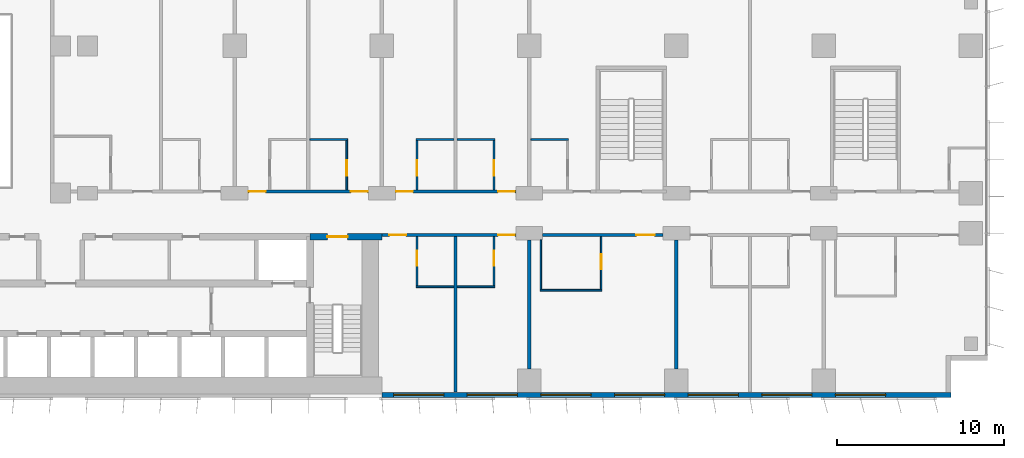
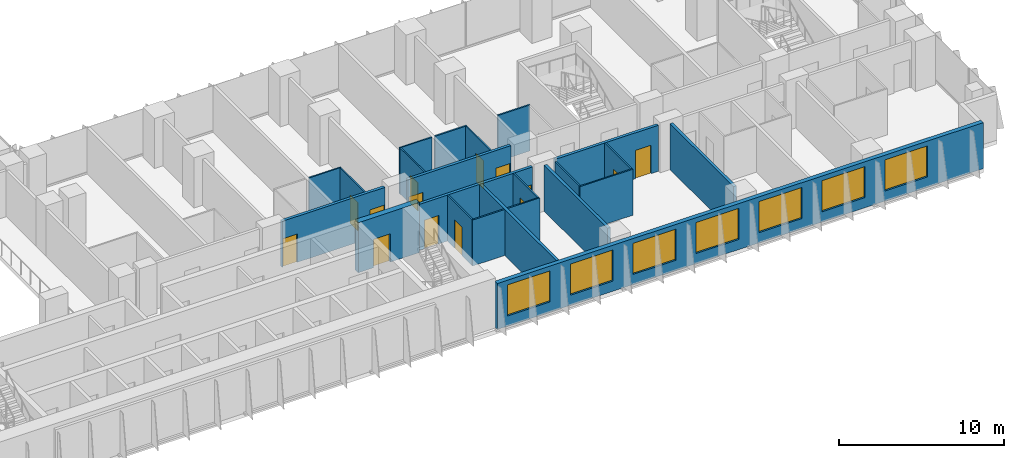
# One storey, part 14 of 24: 23 walls, 14 doors, 7 windows, 21 openings.
"""IFC4 building model written with IfcOpenShell, lengths in metres."""

from ifc_helpers import new_model, si_unit, direction, frame, frame_2d, origin, place, context, subcontext, project, spatial, rectangle, extrude, material, layer, layer_set, type_object, element, fill, save


model = new_model("IFC4")

# Units and contexts
model_context = context("Model", 3, precision=1e-05, world=origin(), true_north=direction((0.0, 1.0)))
body_context = subcontext(model_context, "Body", "Model", "MODEL_VIEW")
ifc_project = project(units=[si_unit("LENGTHUNIT", "METRE"), si_unit("AREAUNIT", "SQUARE_METRE"), si_unit("VOLUMEUNIT", "CUBIC_METRE"), si_unit("PLANEANGLEUNIT", "RADIAN"), si_unit("MASSUNIT", "GRAM", prefix="KILO")], contexts=[model_context])

# Site, building, storey
site_placement = place(None, origin())
site = spatial("IfcSite", under=ifc_project, at=site_placement, CompositionType="ELEMENT")
building_placement = place(site_placement, origin())
building = spatial("IfcBuilding", under=site, at=building_placement, Name="Kemantara Hotel Tower", CompositionType="ELEMENT")
storey_placement = place(building_placement, frame((0.0, 0.0, 37.699951171875)))
storey = spatial("IfcBuildingStorey", under=building, at=storey_placement, Name="L07", CompositionType="ELEMENT", Elevation=37.699951171875)

# Wall, openings, windows
ifc_material_1 = material(Name="Bronze anodised aluminium cladding on insulated steel stud wall", Category="steel")
ifc_layer_1 = layer(ifc_material_1, 0.300048828125)
ifc_layer_set_1 = layer_set([ifc_layer_1], Name="Bronze anodised aluminium cladding on insulated steel stud wall")
wall_type_1 = type_object("IfcWallType", Name="BRONZE METAL-CLAD EXTERNAL WALL 300", PredefinedType="STANDARD", material=ifc_layer_set_1)
wall_1_placement = place(storey_placement, frame((45.0, 0.14990234375, 0.0), z_axis=(0.0, 0.0, 1.0), x_axis=(1.0, 0.0, 0.0)))
wall_1 = element("IfcWall", 1, at=wall_1_placement, inside=storey, type_object=wall_type_1, Name="EXTERNAL WALL L07 T1-R01-3", PredefinedType="STANDARD", context=body_context, shape_type="SweptSolid", body=[
    extrude(rectangle(XDim=34.0, YDim=0.300048828125, at=frame_2d((17.0, 0.0))), origin(), (0.0, 0.0, 1.0), 3.400146484375),
])
opening_1_placement = place(wall_1_placement, frame((0.699951171875, 0.0, 0.75)))
opening_1 = element("IfcOpeningElement", 2, at=opening_1_placement, cuts=wall_1, Name="Opening W1", PredefinedType="OPENING", context=body_context, shape_type="SweptSolid", body=[
    extrude(rectangle(XDim=3.0, YDim=2.300048828125, at=frame_2d((1.5, 1.14990234375))), frame((0.0, 0.159912109375, 0.0), z_axis=(0.0, -1.0, 0.0), x_axis=(1.0, 0.0, 0.0)), (0.0, 0.0, 1.0), 0.320068359375),
])
opening_2_placement = place(wall_1_placement, frame((5.10009765625, 0.0, 0.75)))
opening_2 = element("IfcOpeningElement", 3, at=opening_2_placement, cuts=wall_1, Name="Opening W1", PredefinedType="OPENING", context=body_context, shape_type="SweptSolid", body=[
    extrude(rectangle(XDim=3.0, YDim=2.300048828125, at=frame_2d((1.5, 1.14990234375))), frame((0.0, 0.159912109375, 0.0), z_axis=(0.0, -1.0, 0.0), x_axis=(1.0, 0.0, 0.0)), (0.0, 0.0, 1.0), 0.320068359375),
])
opening_3_placement = place(wall_1_placement, frame((9.5, 0.0, 0.75)))
opening_3 = element("IfcOpeningElement", 4, at=opening_3_placement, cuts=wall_1, Name="Opening W1", PredefinedType="OPENING", context=body_context, shape_type="SweptSolid", body=[
    extrude(rectangle(XDim=3.0, YDim=2.300048828125, at=frame_2d((1.5, 1.14990234375))), frame((0.0, 0.159912109375, 0.0), z_axis=(0.0, -1.0, 0.0), x_axis=(1.0, 0.0, 0.0)), (0.0, 0.0, 1.0), 0.320068359375),
])
opening_4_placement = place(wall_1_placement, frame((13.89990234375, 0.0, 0.75)))
opening_4 = element("IfcOpeningElement", 5, at=opening_4_placement, cuts=wall_1, Name="Opening W1", PredefinedType="OPENING", context=body_context, shape_type="SweptSolid", body=[
    extrude(rectangle(XDim=3.0, YDim=2.300048828125, at=frame_2d((1.5, 1.14990234375))), frame((0.0, 0.159912109375, 0.0), z_axis=(0.0, -1.0, 0.0), x_axis=(1.0, 0.0, 0.0)), (0.0, 0.0, 1.0), 0.320068359375),
])
opening_5_placement = place(wall_1_placement, frame((18.300048828125, 0.0, 0.75)))
opening_5 = element("IfcOpeningElement", 6, at=opening_5_placement, cuts=wall_1, Name="Opening W1", PredefinedType="OPENING", context=body_context, shape_type="SweptSolid", body=[
    extrude(rectangle(XDim=3.0, YDim=2.300048828125, at=frame_2d((1.5, 1.14990234375))), frame((0.0, 0.159912109375, 0.0), z_axis=(0.0, -1.0, 0.0), x_axis=(1.0, 0.0, 0.0)), (0.0, 0.0, 1.0), 0.320068359375),
])
opening_6_placement = place(wall_1_placement, frame((22.699951171875, 0.0, 0.75)))
opening_6 = element("IfcOpeningElement", 7, at=opening_6_placement, cuts=wall_1, Name="Opening W1", PredefinedType="OPENING", context=body_context, shape_type="SweptSolid", body=[
    extrude(rectangle(XDim=3.0, YDim=2.300048828125, at=frame_2d((1.5, 1.14990234375))), frame((0.0, 0.159912109375, 0.0), z_axis=(0.0, -1.0, 0.0), x_axis=(1.0, 0.0, 0.0)), (0.0, 0.0, 1.0), 0.320068359375),
])
opening_7_placement = place(wall_1_placement, frame((27.10009765625, 0.0, 0.75)))
opening_7 = element("IfcOpeningElement", 8, at=opening_7_placement, cuts=wall_1, Name="Opening W1", PredefinedType="OPENING", context=body_context, shape_type="SweptSolid", body=[
    extrude(rectangle(XDim=3.0, YDim=2.300048828125, at=frame_2d((1.5, 1.14990234375))), frame((0.0, 0.159912109375, 0.0), z_axis=(0.0, -1.0, 0.0), x_axis=(1.0, 0.0, 0.0)), (0.0, 0.0, 1.0), 0.320068359375),
])
ifc_material_2 = material(Name="Low-E tinted double insulated glass in bronze anodised aluminium frame", Category="aluminium")
window_type = type_object("IfcWindowType", Name="CHICAGO WINDOW, TRIPLE PANEL 3000x2300", PartitioningType="TRIPLE_PANEL_VERTICAL", PredefinedType="WINDOW", material=ifc_material_2)
window_1_placement = place(opening_1_placement, origin())
window_1 = element("IfcWindow", 9, at=window_1_placement, inside=storey, type_object=window_type, Name="CHICAGO WINDOW L07 T1-R01-450", OverallHeight=2.300048828125, OverallWidth=3.0, PartitioningType="SINGLE_PANEL", PredefinedType="WINDOW", context=body_context, shape_type="SweptSolid", body=[
    extrude(rectangle(XDim=3.0, YDim=2.300048828125, at=frame_2d((1.5, 1.14990234375))), frame((0.0, 0.030029296875, 0.0), z_axis=(0.0, -1.0, 0.0), x_axis=(1.0, 0.0, 0.0)), (0.0, 0.0, 1.0), 0.06005859375),
])
fill(opening_1, window_1)
window_2_placement = place(opening_2_placement, origin())
window_2 = element("IfcWindow", 10, at=window_2_placement, inside=storey, type_object=window_type, Name="CHICAGO WINDOW L07 T1-R01-494", OverallHeight=2.300048828125, OverallWidth=3.0, PartitioningType="SINGLE_PANEL", PredefinedType="WINDOW", context=body_context, shape_type="SweptSolid", body=[
    extrude(rectangle(XDim=3.0, YDim=2.300048828125, at=frame_2d((1.5, 1.14990234375))), frame((0.0, 0.030029296875, 0.0), z_axis=(0.0, -1.0, 0.0), x_axis=(1.0, 0.0, 0.0)), (0.0, 0.0, 1.0), 0.06005859375),
])
fill(opening_2, window_2)
window_3_placement = place(opening_3_placement, origin())
window_3 = element("IfcWindow", 11, at=window_3_placement, inside=storey, type_object=window_type, Name="CHICAGO WINDOW L07 T1-R01-538", OverallHeight=2.300048828125, OverallWidth=3.0, PartitioningType="SINGLE_PANEL", PredefinedType="WINDOW", context=body_context, shape_type="SweptSolid", body=[
    extrude(rectangle(XDim=3.0, YDim=2.300048828125, at=frame_2d((1.5, 1.14990234375))), frame((0.0, 0.030029296875, 0.0), z_axis=(0.0, -1.0, 0.0), x_axis=(1.0, 0.0, 0.0)), (0.0, 0.0, 1.0), 0.06005859375),
])
fill(opening_3, window_3)
window_4_placement = place(opening_4_placement, origin())
window_4 = element("IfcWindow", 12, at=window_4_placement, inside=storey, type_object=window_type, Name="CHICAGO WINDOW L07 T1-R01-582", OverallHeight=2.300048828125, OverallWidth=3.0, PartitioningType="SINGLE_PANEL", PredefinedType="WINDOW", context=body_context, shape_type="SweptSolid", body=[
    extrude(rectangle(XDim=3.0, YDim=2.300048828125, at=frame_2d((1.5, 1.14990234375))), frame((0.0, 0.030029296875, 0.0), z_axis=(0.0, -1.0, 0.0), x_axis=(1.0, 0.0, 0.0)), (0.0, 0.0, 1.0), 0.06005859375),
])
fill(opening_4, window_4)
window_5_placement = place(opening_5_placement, origin())
window_5 = element("IfcWindow", 13, at=window_5_placement, inside=storey, type_object=window_type, Name="CHICAGO WINDOW L07 T1-R01-626", OverallHeight=2.300048828125, OverallWidth=3.0, PartitioningType="SINGLE_PANEL", PredefinedType="WINDOW", context=body_context, shape_type="SweptSolid", body=[
    extrude(rectangle(XDim=3.0, YDim=2.300048828125, at=frame_2d((1.5, 1.14990234375))), frame((0.0, 0.030029296875, 0.0), z_axis=(0.0, -1.0, 0.0), x_axis=(1.0, 0.0, 0.0)), (0.0, 0.0, 1.0), 0.06005859375),
])
fill(opening_5, window_5)
window_6_placement = place(opening_6_placement, origin())
window_6 = element("IfcWindow", 14, at=window_6_placement, inside=storey, type_object=window_type, Name="CHICAGO WINDOW L07 T1-R01-670", OverallHeight=2.300048828125, OverallWidth=3.0, PartitioningType="SINGLE_PANEL", PredefinedType="WINDOW", context=body_context, shape_type="SweptSolid", body=[
    extrude(rectangle(XDim=3.0, YDim=2.300048828125, at=frame_2d((1.5, 1.14990234375))), frame((0.0, 0.030029296875, 0.0), z_axis=(0.0, -1.0, 0.0), x_axis=(1.0, 0.0, 0.0)), (0.0, 0.0, 1.0), 0.06005859375),
])
fill(opening_6, window_6)
window_7_placement = place(opening_7_placement, origin())
window_7 = element("IfcWindow", 15, at=window_7_placement, inside=storey, type_object=window_type, Name="CHICAGO WINDOW L07 T1-R01-714", OverallHeight=2.300048828125, OverallWidth=3.0, PartitioningType="SINGLE_PANEL", PredefinedType="WINDOW", context=body_context, shape_type="SweptSolid", body=[
    extrude(rectangle(XDim=3.0, YDim=2.300048828125, at=frame_2d((1.5, 1.14990234375))), frame((0.0, 0.030029296875, 0.0), z_axis=(0.0, -1.0, 0.0), x_axis=(1.0, 0.0, 0.0)), (0.0, 0.0, 1.0), 0.06005859375),
])
fill(opening_7, window_7)

# Wall, opening, door
ifc_material_3 = material(Name="Concrete fc 70 MPa", Category="concrete")
ifc_layer_2 = layer(ifc_material_3, 0.39990234375)
ifc_layer_set_2 = layer_set([ifc_layer_2], Name="Concrete fc 70 MPa")
wall_type_2 = type_object("IfcWallType", Name="CORE WALL 400 FC70", PredefinedType="SHEAR", material=ifc_layer_set_2)
wall_2_placement = place(storey_placement, frame((40.699951171875, 9.60009765625, 0.0), z_axis=(0.0, 0.0, 1.0), x_axis=(1.0, 0.0, 0.0)))
wall_2 = element("IfcWall", 16, at=wall_2_placement, inside=storey, type_object=wall_type_2, Name="CORE WALL CW-N2", PredefinedType="SHEAR", context=body_context, shape_type="SweptSolid", body=[
    extrude(rectangle(XDim=4.300048828125, YDim=0.39990234375, at=frame_2d((2.14990234375, 0.0))), origin(), (0.0, 0.0, 1.0), 3.699951171875),
])
opening_8_placement = place(wall_2_placement, frame((1.050048828125, 0.0, 0.0)))
opening_8 = element("IfcOpeningElement", 17, at=opening_8_placement, cuts=wall_2, Name="Opening C08-ST2-C", PredefinedType="OPENING", context=body_context, shape_type="SweptSolid", body=[
    extrude(rectangle(XDim=1.199951171875, YDim=2.10009765625, at=frame_2d((0.60009765625, 1.050048828125))), frame((0.0, 0.2099609375, 0.0), z_axis=(0.0, -1.0, 0.0), x_axis=(1.0, 0.0, 0.0)), (0.0, 0.0, 1.0), 0.419921875),
])
ifc_material_4 = material(Name="Steel fire door", Category="steel")
door_type_1 = type_object("IfcDoorType", Name="Fire door FD90 1200 x 2100", OperationType="NOTDEFINED", PredefinedType="DOOR", material=ifc_material_4)
door_1_placement = place(opening_8_placement, frame((1.199951171875, 0.0, 0.0), z_axis=(0.0, 0.0, 1.0), x_axis=(-1.0, 0.0, 0.0)))
door_1 = element("IfcDoor", 18, at=door_1_placement, inside=storey, type_object=door_type_1, Name="Stair ST2 door to corridor", OperationType="SINGLE_SWING_RIGHT", OverallHeight=2.10009765625, OverallWidth=1.199951171875, PredefinedType="DOOR", context=body_context, shape_type="SweptSolid", body=[
    extrude(rectangle(XDim=1.199951171875, YDim=2.10009765625, at=frame_2d((0.60009765625, 1.050048828125))), frame((0.0, 0.02490234375, 0.0), z_axis=(0.0, -1.0, 0.0), x_axis=(1.0, 0.0, 0.0)), (0.0, 0.0, 1.0), 0.050048828125),
])
fill(opening_8, door_1)

# Wall, openings, doors
ifc_material_5 = material(Name="Gypsum board partition, steel studs and mineral wool, 200 mm", Category="steel")
ifc_layer_3 = layer(ifc_material_5, 0.199951171875)
ifc_layer_set_3 = layer_set([ifc_layer_3], Name="Gypsum board partition, steel studs and mineral wool, 200 mm")
wall_type_3 = type_object("IfcWallType", Name="CORRIDOR WALL 200", PredefinedType="PARTITIONING", material=ifc_layer_set_3)
wall_3_placement = place(storey_placement, frame((53.0, 9.699951171875, 0.0), z_axis=(0.0, 0.0, 1.0), x_axis=(-1.0, 0.0, 0.0)))
wall_3 = element("IfcWall", 19, at=wall_3_placement, inside=storey, type_object=wall_type_3, Name="CORRIDOR WALL 200 001", PredefinedType="PARTITIONING", context=body_context, shape_type="SweptSolid", body=[
    extrude(rectangle(XDim=8.0, YDim=0.199951171875, at=frame_2d((4.0, 0.0))), origin(), (0.0, 0.0, 1.0), 3.400146484375),
])
opening_9_placement = place(wall_3_placement, frame((6.5498046875, 0.0, 0.0)))
opening_9 = element("IfcOpeningElement", 20, at=opening_9_placement, cuts=wall_3, Name="Opening F01-001", PredefinedType="OPENING", context=body_context, shape_type="SweptSolid", body=[
    extrude(rectangle(XDim=1.0, YDim=2.10009765625, at=frame_2d((0.5, 1.050048828125))), frame((0.0, 0.10986328125, 0.0), z_axis=(0.0, -1.0, 0.0), x_axis=(1.0, 0.0, 0.0)), (0.0, 0.0, 1.0), 0.219970703125),
])
opening_10_placement = place(wall_3_placement, frame((0.0498046875, 0.0, 0.0)))
opening_10 = element("IfcOpeningElement", 21, at=opening_10_placement, cuts=wall_3, Name="Opening F01-003", PredefinedType="OPENING", context=body_context, shape_type="SweptSolid", body=[
    extrude(rectangle(XDim=1.0, YDim=2.10009765625, at=frame_2d((0.5, 1.050048828125))), frame((0.0, 0.10986328125, 0.0), z_axis=(0.0, -1.0, 0.0), x_axis=(1.0, 0.0, 0.0)), (0.0, 0.0, 1.0), 0.219970703125),
])
ifc_material_6 = material(Name="Hardwood veneer door leaf with steel frame", Category="steel")
door_type_2 = type_object("IfcDoorType", Name="GUEST ROOM DOOR 1000 X 2100 FD30S", OperationType="NOTDEFINED", PredefinedType="DOOR", material=ifc_material_6)
door_2_placement = place(opening_9_placement, origin())
door_2 = element("IfcDoor", 22, at=door_2_placement, inside=storey, type_object=door_type_2, Name="GUEST ROOM DOOR F01-001", OperationType="SINGLE_SWING_RIGHT", OverallHeight=2.10009765625, OverallWidth=1.0, PredefinedType="DOOR", context=body_context, shape_type="SweptSolid", body=[
    extrude(rectangle(XDim=1.0, YDim=2.10009765625, at=frame_2d((0.5, 1.050048828125))), frame((0.0, 0.02490234375, 0.0), z_axis=(0.0, -1.0, 0.0), x_axis=(1.0, 0.0, 0.0)), (0.0, 0.0, 1.0), 0.050048828125),
])
fill(opening_9, door_2)
door_3_placement = place(opening_10_placement, origin())
door_3 = element("IfcDoor", 23, at=door_3_placement, inside=storey, type_object=door_type_2, Name="GUEST ROOM DOOR F01-003", OperationType="SINGLE_SWING_LEFT", OverallHeight=2.10009765625, OverallWidth=1.0, PredefinedType="DOOR", context=body_context, shape_type="SweptSolid", body=[
    extrude(rectangle(XDim=1.0, YDim=2.10009765625, at=frame_2d((0.5, 1.050048828125))), frame((0.0, 0.02490234375, 0.0), z_axis=(0.0, -1.0, 0.0), x_axis=(1.0, 0.0, 0.0)), (0.0, 0.0, 1.0), 0.050048828125),
])
fill(opening_10, door_3)

# Wall, opening, door
wall_4_placement = place(storey_placement, frame((61.7998046875, 9.699951171875, 0.0), z_axis=(0.0, 0.0, 1.0), x_axis=(-1.0, 0.0, 0.0)))
wall_4 = element("IfcWall", 24, at=wall_4_placement, inside=storey, type_object=wall_type_3, Name="CORRIDOR WALL 200 002", PredefinedType="PARTITIONING", context=body_context, shape_type="SweptSolid", body=[
    extrude(rectangle(XDim=7.19970703125, YDim=0.199951171875, at=frame_2d((3.599853515625, 0.0))), origin(), (0.0, 0.0, 1.0), 3.400146484375),
])
opening_11_placement = place(wall_4_placement, frame((0.5, 0.0, 0.0)))
opening_11 = element("IfcOpeningElement", 25, at=opening_11_placement, cuts=wall_4, Name="Opening F01-005", PredefinedType="OPENING", context=body_context, shape_type="SweptSolid", body=[
    extrude(rectangle(XDim=1.10009765625, YDim=2.10009765625, at=frame_2d((0.550048828125, 1.050048828125))), frame((0.0, 0.10986328125, 0.0), z_axis=(0.0, -1.0, 0.0), x_axis=(1.0, 0.0, 0.0)), (0.0, 0.0, 1.0), 0.219970703125),
])
door_type_3 = type_object("IfcDoorType", Name="SUITE ENTRANCE DOOR 1100 X 2100 FD30S", OperationType="NOTDEFINED", PredefinedType="DOOR", material=ifc_material_6)
door_4_placement = place(opening_11_placement, origin())
door_4 = element("IfcDoor", 26, at=door_4_placement, inside=storey, type_object=door_type_3, Name="SUITE ENTRANCE DOOR F01-005", OperationType="SINGLE_SWING_LEFT", OverallHeight=2.10009765625, OverallWidth=1.10009765625, PredefinedType="DOOR", context=body_context, shape_type="SweptSolid", body=[
    extrude(rectangle(XDim=1.10009765625, YDim=2.10009765625, at=frame_2d((0.550048828125, 1.050048828125))), frame((0.0, 0.02490234375, 0.0), z_axis=(0.0, -1.0, 0.0), x_axis=(1.0, 0.0, 0.0)), (0.0, 0.0, 1.0), 0.050048828125),
])
fill(opening_11, door_4)

# Wall, openings, doors
wall_5_placement = place(storey_placement, frame((37.0, 12.300048828125, 0.0), z_axis=(0.0, 0.0, 1.0), x_axis=(1.0, 0.0, 0.0)))
wall_5 = element("IfcWall", 27, at=wall_5_placement, inside=storey, type_object=wall_type_3, Name="CORRIDOR WALL 200 016", PredefinedType="PARTITIONING", context=body_context, shape_type="SweptSolid", body=[
    extrude(rectangle(XDim=7.199951171875, YDim=0.199951171875, at=frame_2d((3.60009765625, 0.0))), origin(), (0.0, 0.0, 1.0), 3.400146484375),
])
opening_12_placement = place(wall_5_placement, frame((0.0498046875, 0.0, 0.0)))
opening_12 = element("IfcOpeningElement", 28, at=opening_12_placement, cuts=wall_5, Name="Opening F01-017", PredefinedType="OPENING", context=body_context, shape_type="SweptSolid", body=[
    extrude(rectangle(XDim=1.0, YDim=2.10009765625, at=frame_2d((0.5, 1.050048828125))), frame((0.0, 0.10986328125, 0.0), z_axis=(0.0, -1.0, 0.0), x_axis=(1.0, 0.0, 0.0)), (0.0, 0.0, 1.0), 0.219970703125),
])
opening_13_placement = place(wall_5_placement, frame((6.14990234375, 0.0, 0.0)))
opening_13 = element("IfcOpeningElement", 29, at=opening_13_placement, cuts=wall_5, Name="Opening F01-019", PredefinedType="OPENING", context=body_context, shape_type="SweptSolid", body=[
    extrude(rectangle(XDim=1.0, YDim=2.10009765625, at=frame_2d((0.5, 1.050048828125))), frame((0.0, 0.10986328125, 0.0), z_axis=(0.0, -1.0, 0.0), x_axis=(1.0, 0.0, 0.0)), (0.0, 0.0, 1.0), 0.219970703125),
])
door_5_placement = place(opening_12_placement, origin())
door_5 = element("IfcDoor", 30, at=door_5_placement, inside=storey, type_object=door_type_2, Name="GUEST ROOM DOOR F01-017", OperationType="SINGLE_SWING_LEFT", OverallHeight=2.10009765625, OverallWidth=1.0, PredefinedType="DOOR", context=body_context, shape_type="SweptSolid", body=[
    extrude(rectangle(XDim=1.0, YDim=2.10009765625, at=frame_2d((0.5, 1.050048828125))), frame((0.0, 0.02490234375, 0.0), z_axis=(0.0, -1.0, 0.0), x_axis=(1.0, 0.0, 0.0)), (0.0, 0.0, 1.0), 0.050048828125),
])
fill(opening_12, door_5)
door_6_placement = place(opening_13_placement, origin())
door_6 = element("IfcDoor", 31, at=door_6_placement, inside=storey, type_object=door_type_2, Name="GUEST ROOM DOOR F01-019", OperationType="SINGLE_SWING_RIGHT", OverallHeight=2.10009765625, OverallWidth=1.0, PredefinedType="DOOR", context=body_context, shape_type="SweptSolid", body=[
    extrude(rectangle(XDim=1.0, YDim=2.10009765625, at=frame_2d((0.5, 1.050048828125))), frame((0.0, 0.02490234375, 0.0), z_axis=(0.0, -1.0, 0.0), x_axis=(1.0, 0.0, 0.0)), (0.0, 0.0, 1.0), 0.050048828125),
])
fill(opening_13, door_6)

wall_6_placement = place(storey_placement, frame((45.800048828125, 12.300048828125, 0.0), z_axis=(0.0, 0.0, 1.0), x_axis=(1.0, 0.0, 0.0)))
wall_6 = element("IfcWall", 32, at=wall_6_placement, inside=storey, type_object=wall_type_3, Name="CORRIDOR WALL 200 017", PredefinedType="PARTITIONING", context=body_context, shape_type="SweptSolid", body=[
    extrude(rectangle(XDim=7.199951171875, YDim=0.199951171875, at=frame_2d((3.60009765625, 0.0))), origin(), (0.0, 0.0, 1.0), 3.400146484375),
])
opening_14_placement = place(wall_6_placement, frame((0.0498046875, 0.0, 0.0)))
opening_14 = element("IfcOpeningElement", 33, at=opening_14_placement, cuts=wall_6, Name="Opening F01-021", PredefinedType="OPENING", context=body_context, shape_type="SweptSolid", body=[
    extrude(rectangle(XDim=1.0, YDim=2.10009765625, at=frame_2d((0.5, 1.050048828125))), frame((0.0, 0.10986328125, 0.0), z_axis=(0.0, -1.0, 0.0), x_axis=(1.0, 0.0, 0.0)), (0.0, 0.0, 1.0), 0.219970703125),
])
opening_15_placement = place(wall_6_placement, frame((6.14990234375, 0.0, 0.0)))
opening_15 = element("IfcOpeningElement", 34, at=opening_15_placement, cuts=wall_6, Name="Opening F01-023", PredefinedType="OPENING", context=body_context, shape_type="SweptSolid", body=[
    extrude(rectangle(XDim=1.0, YDim=2.10009765625, at=frame_2d((0.5, 1.050048828125))), frame((0.0, 0.10986328125, 0.0), z_axis=(0.0, -1.0, 0.0), x_axis=(1.0, 0.0, 0.0)), (0.0, 0.0, 1.0), 0.219970703125),
])
door_7_placement = place(opening_14_placement, origin())
door_7 = element("IfcDoor", 35, at=door_7_placement, inside=storey, type_object=door_type_2, Name="GUEST ROOM DOOR F01-021", OperationType="SINGLE_SWING_LEFT", OverallHeight=2.10009765625, OverallWidth=1.0, PredefinedType="DOOR", context=body_context, shape_type="SweptSolid", body=[
    extrude(rectangle(XDim=1.0, YDim=2.10009765625, at=frame_2d((0.5, 1.050048828125))), frame((0.0, 0.02490234375, 0.0), z_axis=(0.0, -1.0, 0.0), x_axis=(1.0, 0.0, 0.0)), (0.0, 0.0, 1.0), 0.050048828125),
])
fill(opening_14, door_7)
door_8_placement = place(opening_15_placement, origin())
door_8 = element("IfcDoor", 36, at=door_8_placement, inside=storey, type_object=door_type_2, Name="GUEST ROOM DOOR F01-023", OperationType="SINGLE_SWING_RIGHT", OverallHeight=2.10009765625, OverallWidth=1.0, PredefinedType="DOOR", context=body_context, shape_type="SweptSolid", body=[
    extrude(rectangle(XDim=1.0, YDim=2.10009765625, at=frame_2d((0.5, 1.050048828125))), frame((0.0, 0.02490234375, 0.0), z_axis=(0.0, -1.0, 0.0), x_axis=(1.0, 0.0, 0.0)), (0.0, 0.0, 1.0), 0.050048828125),
])
fill(opening_15, door_8)

# Walls
ifc_layer_4 = layer(ifc_material_5, 0.199951171875)
ifc_layer_set_4 = layer_set([ifc_layer_4], Name="Gypsum board partition, steel studs and mineral wool, 200 mm")
wall_type_4 = type_object("IfcWallType", Name="GUEST ROOM PARTY WALL 200", PredefinedType="PARTITIONING", material=ifc_layer_set_4)
wall_7_placement = place(storey_placement, frame((49.39990234375, 0.31005859375, 0.0), z_axis=(0.0, 0.0, 1.0), x_axis=(0.0, 1.0, 0.0)))
element("IfcWall", 37, at=wall_7_placement, inside=storey, type_object=wall_type_4, Name="GUEST ROOM PARTY WALL 200 005", PredefinedType="PARTITIONING", context=body_context, shape_type="SweptSolid", body=[
    extrude(rectangle(XDim=9.2900390625, YDim=0.199951171875, at=frame_2d((4.64501953125, 0.0))), origin(), (0.0, 0.0, 1.0), 3.400146484375),
])
for number, where, z_axis, x_axis, name in (
    (38, (53.800048828125, 1.7001953125, 0.0), (0.0, 0.0, 1.0), (0.0, 1.0, 0.0), "GUEST ROOM PARTY WALL 200 007"),
    (39, (62.60009765625, 1.7001953125, 0.0), (0.0, 0.0, 1.0), (0.0, 1.0, 0.0), "GUEST ROOM PARTY WALL 200 010"),
):
    element("IfcWall", number, at=place(storey_placement, frame(where, z_axis=z_axis, x_axis=x_axis)), inside=storey, type_object=wall_type_4, Name=name, PredefinedType="PARTITIONING", context=body_context, shape_type="SweptSolid", body=[
        extrude(rectangle(XDim=7.69970703125, YDim=0.199951171875, at=frame_2d((3.849853515625, 0.0))), origin(), (0.0, 0.0, 1.0), 3.400146484375),
    ])
ifc_material_7 = material(Name="Gypsum board partition on steel studs, 100 mm", Category="steel")
ifc_layer_5 = layer(ifc_material_7, 0.10009765625)
ifc_layer_set_5 = layer_set([ifc_layer_5], Name="Gypsum board partition on steel studs, 100 mm")
wall_type_5 = type_object("IfcWallType", Name="ROOM PARTITION 100", PredefinedType="PARTITIONING", material=ifc_layer_set_5)
for number, where, z_axis, x_axis, name in (
    (40, (47.050048828125, 6.60009765625, 0.0), (0.0, 0.0, 1.0), (1.0, 0.0, 0.0), "ROOM PARTITION 100 071"),
    (41, (49.5, 6.60009765625, 0.0), (0.0, 0.0, 1.0), (1.0, 0.0, 0.0), "ROOM PARTITION 100 072"),
):
    element("IfcWall", number, at=place(storey_placement, frame(where, z_axis=z_axis, x_axis=x_axis)), inside=storey, type_object=wall_type_5, Name=name, PredefinedType="PARTITIONING", context=body_context, shape_type="SweptSolid", body=[
        extrude(rectangle(XDim=2.25, YDim=0.10009765625, at=frame_2d((1.125, 0.0))), origin(), (0.0, 0.0, 1.0), 3.400146484375),
    ])

# Wall, opening, door
wall_8_placement = place(storey_placement, frame((47.10009765625, 9.60009765625, 0.0), z_axis=(0.0, 0.0, 1.0), x_axis=(0.0, -1.0, 0.0)))
wall_8 = element("IfcWall", 42, at=wall_8_placement, inside=storey, type_object=wall_type_5, Name="ROOM PARTITION 100 075", PredefinedType="PARTITIONING", context=body_context, shape_type="SweptSolid", body=[
    extrude(rectangle(XDim=2.9501953125, YDim=0.10009765625, at=frame_2d((1.47509765625, 0.0))), origin(), (0.0, 0.0, 1.0), 3.400146484375),
])
opening_16_placement = place(wall_8_placement, frame((0.85009765625, 0.0, 0.0)))
opening_16 = element("IfcOpeningElement", 43, at=opening_16_placement, cuts=wall_8, Name="Opening F01-002", PredefinedType="OPENING", context=body_context, shape_type="SweptSolid", body=[
    extrude(rectangle(XDim=0.89990234375, YDim=2.10009765625, at=frame_2d((0.449951171875, 1.050048828125))), frame((0.0, 0.06005859375, 0.0), z_axis=(0.0, -1.0, 0.0), x_axis=(1.0, 0.0, 0.0)), (0.0, 0.0, 1.0), 0.1201171875),
])
door_type_4 = type_object("IfcDoorType", Name="BATHROOM DOOR 900 X 2100", OperationType="NOTDEFINED", PredefinedType="DOOR", material=ifc_material_6)
door_9_placement = place(opening_16_placement, origin())
door_9 = element("IfcDoor", 44, at=door_9_placement, inside=storey, type_object=door_type_4, Name="BATHROOM DOOR F01-002", OperationType="SINGLE_SWING_LEFT", OverallHeight=2.10009765625, OverallWidth=0.89990234375, PredefinedType="DOOR", context=body_context, shape_type="SweptSolid", body=[
    extrude(rectangle(XDim=0.89990234375, YDim=2.10009765625, at=frame_2d((0.449951171875, 1.050048828125))), frame((0.0, 0.02490234375, 0.0), z_axis=(0.0, -1.0, 0.0), x_axis=(1.0, 0.0, 0.0)), (0.0, 0.0, 1.0), 0.050048828125),
])
fill(opening_16, door_9)

wall_9_placement = place(storey_placement, frame((47.10009765625, 15.35009765625, 0.0), z_axis=(0.0, 0.0, 1.0), x_axis=(0.0, -1.0, 0.0)))
wall_9 = element("IfcWall", 45, at=wall_9_placement, inside=storey, type_object=wall_type_5, Name="ROOM PARTITION 100 076", PredefinedType="PARTITIONING", context=body_context, shape_type="SweptSolid", body=[
    extrude(rectangle(XDim=2.9501953125, YDim=0.10009765625, at=frame_2d((1.47509765625, 0.0))), origin(), (0.0, 0.0, 1.0), 3.400146484375),
])
opening_17_placement = place(wall_9_placement, frame((1.199951171875, 0.0, 0.0)))
opening_17 = element("IfcOpeningElement", 46, at=opening_17_placement, cuts=wall_9, Name="Opening F01-022", PredefinedType="OPENING", context=body_context, shape_type="SweptSolid", body=[
    extrude(rectangle(XDim=0.89990234375, YDim=2.10009765625, at=frame_2d((0.449951171875, 1.050048828125))), frame((0.0, 0.06005859375, 0.0), z_axis=(0.0, -1.0, 0.0), x_axis=(1.0, 0.0, 0.0)), (0.0, 0.0, 1.0), 0.1201171875),
])
door_10_placement = place(opening_17_placement, origin())
door_10 = element("IfcDoor", 47, at=door_10_placement, inside=storey, type_object=door_type_4, Name="BATHROOM DOOR F01-022", OperationType="SINGLE_SWING_RIGHT", OverallHeight=2.10009765625, OverallWidth=0.89990234375, PredefinedType="DOOR", context=body_context, shape_type="SweptSolid", body=[
    extrude(rectangle(XDim=0.89990234375, YDim=2.10009765625, at=frame_2d((0.449951171875, 1.050048828125))), frame((0.0, 0.02490234375, 0.0), z_axis=(0.0, -1.0, 0.0), x_axis=(1.0, 0.0, 0.0)), (0.0, 0.0, 1.0), 0.050048828125),
])
fill(opening_17, door_10)

wall_10_placement = place(storey_placement, frame((51.699951171875, 6.64990234375, 0.0), z_axis=(0.0, 0.0, 1.0), x_axis=(0.0, 1.0, 0.0)))
wall_10 = element("IfcWall", 48, at=wall_10_placement, inside=storey, type_object=wall_type_5, Name="ROOM PARTITION 100 077", PredefinedType="PARTITIONING", context=body_context, shape_type="SweptSolid", body=[
    extrude(rectangle(XDim=2.9501953125, YDim=0.10009765625, at=frame_2d((1.47509765625, 0.0))), origin(), (0.0, 0.0, 1.0), 3.400146484375),
])
opening_18_placement = place(wall_10_placement, frame((1.199951171875, 0.0, 0.0)))
opening_18 = element("IfcOpeningElement", 49, at=opening_18_placement, cuts=wall_10, Name="Opening F01-004", PredefinedType="OPENING", context=body_context, shape_type="SweptSolid", body=[
    extrude(rectangle(XDim=0.89990234375, YDim=2.10009765625, at=frame_2d((0.449951171875, 1.050048828125))), frame((0.0, 0.06005859375, 0.0), z_axis=(0.0, -1.0, 0.0), x_axis=(1.0, 0.0, 0.0)), (0.0, 0.0, 1.0), 0.1201171875),
])
door_11_placement = place(opening_18_placement, origin())
door_11 = element("IfcDoor", 50, at=door_11_placement, inside=storey, type_object=door_type_4, Name="BATHROOM DOOR F01-004", OperationType="SINGLE_SWING_RIGHT", OverallHeight=2.10009765625, OverallWidth=0.89990234375, PredefinedType="DOOR", context=body_context, shape_type="SweptSolid", body=[
    extrude(rectangle(XDim=0.89990234375, YDim=2.10009765625, at=frame_2d((0.449951171875, 1.050048828125))), frame((0.0, 0.02490234375, 0.0), z_axis=(0.0, -1.0, 0.0), x_axis=(1.0, 0.0, 0.0)), (0.0, 0.0, 1.0), 0.050048828125),
])
fill(opening_18, door_11)

wall_11_placement = place(storey_placement, frame((51.699951171875, 12.39990234375, 0.0), z_axis=(0.0, 0.0, 1.0), x_axis=(0.0, 1.0, 0.0)))
wall_11 = element("IfcWall", 51, at=wall_11_placement, inside=storey, type_object=wall_type_5, Name="ROOM PARTITION 100 078", PredefinedType="PARTITIONING", context=body_context, shape_type="SweptSolid", body=[
    extrude(rectangle(XDim=2.9501953125, YDim=0.10009765625, at=frame_2d((1.47509765625, 0.0))), origin(), (0.0, 0.0, 1.0), 3.400146484375),
])
opening_19_placement = place(wall_11_placement, frame((0.85009765625, 0.0, 0.0)))
opening_19 = element("IfcOpeningElement", 52, at=opening_19_placement, cuts=wall_11, Name="Opening F01-024", PredefinedType="OPENING", context=body_context, shape_type="SweptSolid", body=[
    extrude(rectangle(XDim=0.89990234375, YDim=2.10009765625, at=frame_2d((0.449951171875, 1.050048828125))), frame((0.0, 0.06005859375, 0.0), z_axis=(0.0, -1.0, 0.0), x_axis=(1.0, 0.0, 0.0)), (0.0, 0.0, 1.0), 0.1201171875),
])
door_12_placement = place(opening_19_placement, origin())
door_12 = element("IfcDoor", 53, at=door_12_placement, inside=storey, type_object=door_type_4, Name="BATHROOM DOOR F01-024", OperationType="SINGLE_SWING_LEFT", OverallHeight=2.10009765625, OverallWidth=0.89990234375, PredefinedType="DOOR", context=body_context, shape_type="SweptSolid", body=[
    extrude(rectangle(XDim=0.89990234375, YDim=2.10009765625, at=frame_2d((0.449951171875, 1.050048828125))), frame((0.0, 0.02490234375, 0.0), z_axis=(0.0, -1.0, 0.0), x_axis=(1.0, 0.0, 0.0)), (0.0, 0.0, 1.0), 0.050048828125),
])
fill(opening_19, door_12)

# Walls
wall_12_placement = place(storey_placement, frame((54.449951171875, 6.39990234375, 0.0), z_axis=(0.0, 0.0, 1.0), x_axis=(1.0, 0.0, 0.0)))
element("IfcWall", 54, at=wall_12_placement, inside=storey, type_object=wall_type_5, Name="ROOM PARTITION 100 079", PredefinedType="PARTITIONING", context=body_context, shape_type="SweptSolid", body=[
    extrude(rectangle(XDim=3.699951171875, YDim=0.10009765625, at=frame_2d((1.85009765625, 0.0))), origin(), (0.0, 0.0, 1.0), 3.400146484375),
])
wall_13_placement = place(storey_placement, frame((54.5, 6.449951171875, 0.0), z_axis=(0.0, 0.0, 1.0), x_axis=(0.0, 1.0, 0.0)))
element("IfcWall", 55, at=wall_13_placement, inside=storey, type_object=wall_type_5, Name="ROOM PARTITION 100 080", PredefinedType="PARTITIONING", context=body_context, shape_type="SweptSolid", body=[
    extrude(rectangle(XDim=2.949951171875, YDim=0.10009765625, at=frame_2d((1.47509765625, 0.0))), origin(), (0.0, 0.0, 1.0), 3.400146484375),
])

# Wall, opening, door
wall_14_placement = place(storey_placement, frame((58.10009765625, 6.449951171875, 0.0), z_axis=(0.0, 0.0, 1.0), x_axis=(0.0, 1.0, 0.0)))
wall_14 = element("IfcWall", 56, at=wall_14_placement, inside=storey, type_object=wall_type_5, Name="ROOM PARTITION 100 081", PredefinedType="PARTITIONING", context=body_context, shape_type="SweptSolid", body=[
    extrude(rectangle(XDim=3.150146484375, YDim=0.10009765625, at=frame_2d((1.5751953125, 0.0))), origin(), (0.0, 0.0, 1.0), 3.400146484375),
])
opening_20_placement = place(wall_14_placement, frame((1.199951171875, 0.0, 0.0)))
opening_20 = element("IfcOpeningElement", 57, at=opening_20_placement, cuts=wall_14, Name="Opening F01-006", PredefinedType="OPENING", context=body_context, shape_type="SweptSolid", body=[
    extrude(rectangle(XDim=0.89990234375, YDim=2.10009765625, at=frame_2d((0.449951171875, 1.050048828125))), frame((0.0, 0.06005859375, 0.0), z_axis=(0.0, -1.0, 0.0), x_axis=(1.0, 0.0, 0.0)), (0.0, 0.0, 1.0), 0.1201171875),
])
door_13_placement = place(opening_20_placement, origin())
door_13 = element("IfcDoor", 58, at=door_13_placement, inside=storey, type_object=door_type_4, Name="BATHROOM DOOR F01-006", OperationType="SINGLE_SWING_RIGHT", OverallHeight=2.10009765625, OverallWidth=0.89990234375, PredefinedType="DOOR", context=body_context, shape_type="SweptSolid", body=[
    extrude(rectangle(XDim=0.89990234375, YDim=2.10009765625, at=frame_2d((0.449951171875, 1.050048828125))), frame((0.0, 0.02490234375, 0.0), z_axis=(0.0, -1.0, 0.0), x_axis=(1.0, 0.0, 0.0)), (0.0, 0.0, 1.0), 0.050048828125),
])
fill(opening_20, door_13)

# Walls
for number, where, z_axis, x_axis, name in (
    (59, (40.699951171875, 15.39990234375, 0.0), (0.0, 0.0, 1.0), (1.0, 0.0, 0.0), "ROOM PARTITION 100 093"),
    (60, (47.050048828125, 15.39990234375, 0.0), (0.0, 0.0, 1.0), (1.0, 0.0, 0.0), "ROOM PARTITION 100 094"),
    (61, (49.5, 15.39990234375, 0.0), (0.0, 0.0, 1.0), (1.0, 0.0, 0.0), "ROOM PARTITION 100 095"),
    (62, (53.89990234375, 15.39990234375, 0.0), (0.0, 0.0, 1.0), (1.0, 0.0, 0.0), "ROOM PARTITION 100 096"),
):
    element("IfcWall", number, at=place(storey_placement, frame(where, z_axis=z_axis, x_axis=x_axis)), inside=storey, type_object=wall_type_5, Name=name, PredefinedType="PARTITIONING", context=body_context, shape_type="SweptSolid", body=[
        extrude(rectangle(XDim=2.25, YDim=0.10009765625, at=frame_2d((1.125, 0.0))), origin(), (0.0, 0.0, 1.0), 3.400146484375),
    ])

# Wall, opening, door
wall_15_placement = place(storey_placement, frame((42.89990234375, 12.39990234375, 0.0), z_axis=(0.0, 0.0, 1.0), x_axis=(0.0, 1.0, 0.0)))
wall_15 = element("IfcWall", 63, at=wall_15_placement, inside=storey, type_object=wall_type_5, Name="ROOM PARTITION 100 101", PredefinedType="PARTITIONING", context=body_context, shape_type="SweptSolid", body=[
    extrude(rectangle(XDim=2.9501953125, YDim=0.10009765625, at=frame_2d((1.47509765625, 0.0))), origin(), (0.0, 0.0, 1.0), 3.400146484375),
])
opening_21_placement = place(wall_15_placement, frame((0.85009765625, 0.0, 0.0)))
opening_21 = element("IfcOpeningElement", 64, at=opening_21_placement, cuts=wall_15, Name="Opening F01-020", PredefinedType="OPENING", context=body_context, shape_type="SweptSolid", body=[
    extrude(rectangle(XDim=0.89990234375, YDim=2.10009765625, at=frame_2d((0.449951171875, 1.050048828125))), frame((0.0, 0.06005859375, 0.0), z_axis=(0.0, -1.0, 0.0), x_axis=(1.0, 0.0, 0.0)), (0.0, 0.0, 1.0), 0.1201171875),
])
door_14_placement = place(opening_21_placement, origin())
door_14 = element("IfcDoor", 65, at=door_14_placement, inside=storey, type_object=door_type_4, Name="BATHROOM DOOR F01-020", OperationType="SINGLE_SWING_LEFT", OverallHeight=2.10009765625, OverallWidth=0.89990234375, PredefinedType="DOOR", context=body_context, shape_type="SweptSolid", body=[
    extrude(rectangle(XDim=0.89990234375, YDim=2.10009765625, at=frame_2d((0.449951171875, 1.050048828125))), frame((0.0, 0.02490234375, 0.0), z_axis=(0.0, -1.0, 0.0), x_axis=(1.0, 0.0, 0.0)), (0.0, 0.0, 1.0), 0.050048828125),
])
fill(opening_21, door_14)

save(model, "model.ifc")
